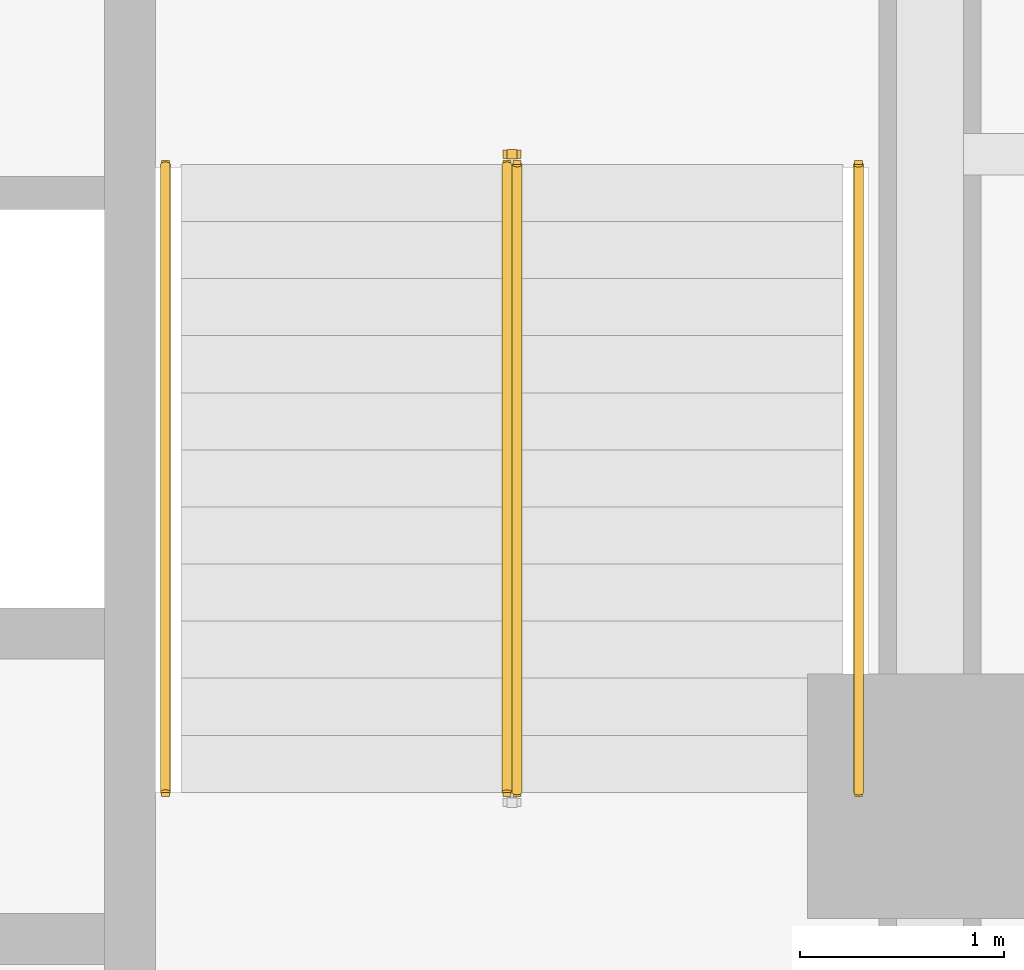
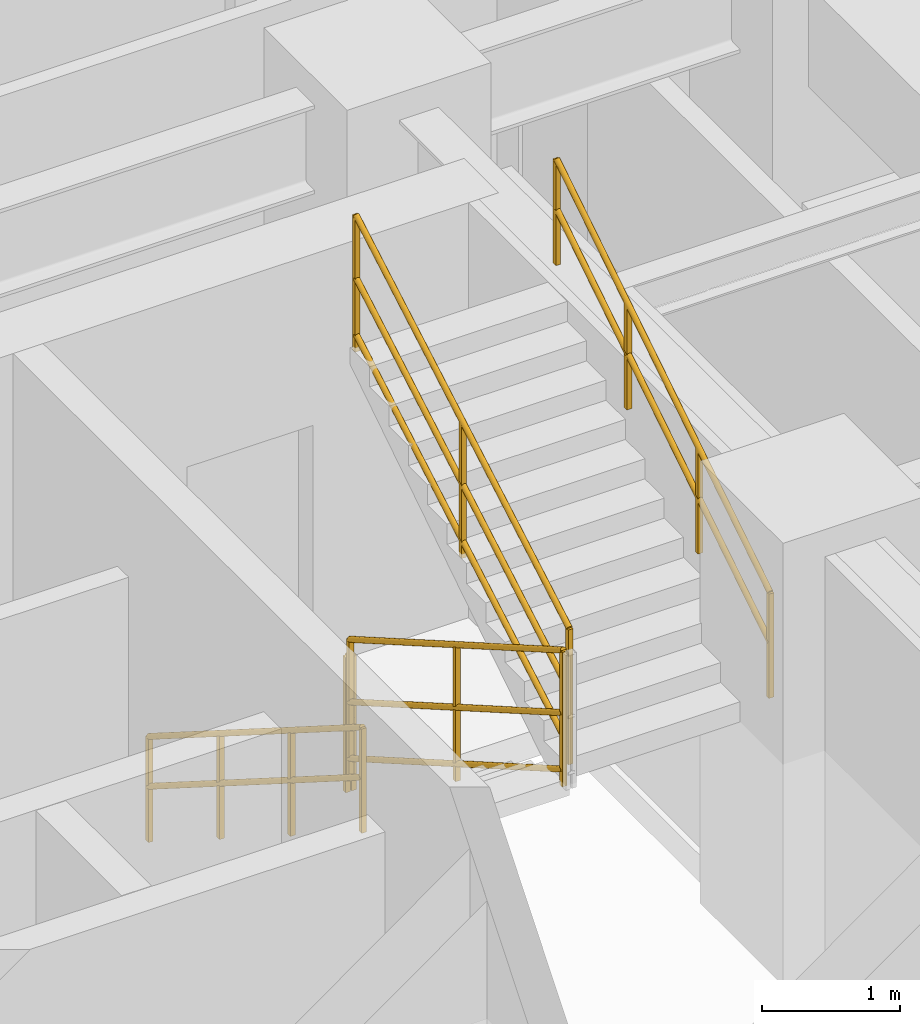
# One storey, part 7 of 8: 5 railings.
"""IFC4 building model written with IfcOpenShell, lengths in metres."""

from ifc_helpers import new_model, entity, si_unit, converted_unit, direction, frame, origin_with_axes, origin_2d_with_axis, place, context, subcontext, project, spatial, rectangle, circle, extrude, material, type_object, element, save


model = new_model("IFC4")

# Units and contexts
model_context = context("Model", 3, precision=1e-05, world=origin_with_axes(), true_north=direction((0.0, 1.0)))
body_context = subcontext(model_context, "Body", "Model", "MODEL_VIEW")
ifc_project = project(units=[si_unit("LENGTHUNIT", "METRE"), si_unit("AREAUNIT", "SQUARE_METRE"), si_unit("VOLUMEUNIT", "CUBIC_METRE"), converted_unit("PLANEANGLEUNIT", "DEGREE", entity("IfcPlaneAngleMeasure", 0.017453292519943295), si_unit("PLANEANGLEUNIT", "RADIAN"), dimensions=[0, 0, 0, 0, 0, 0, 0]), si_unit("MASSUNIT", "GRAM", prefix="KILO"), si_unit("THERMODYNAMICTEMPERATUREUNIT", "KELVIN")], contexts=[model_context])

# Site, building, storey
site_placement = place(None, origin_with_axes())
site = spatial("IfcSite", under=ifc_project, at=site_placement, CompositionType="ELEMENT")
building_placement = place(site_placement, origin_with_axes())
building = spatial("IfcBuilding", under=site, at=building_placement, Name="Varnlund Millrace Tower", CompositionType="ELEMENT")
storey_placement = place(building_placement, frame((0.0, 0.0, 89.1), z_axis=(0.0, 0.0, 1.0), x_axis=(1.0, 0.0, 0.0)))
storey = spatial("IfcBuildingStorey", under=building, at=storey_placement, Name="L21", CompositionType="ELEMENT", Elevation=89.1)

# Railings
ifc_material_1 = material(Name="Painted steel stair well balustrade guard", Category="steel")
railing_type_1 = type_object("IfcRailingType", Name="Type-StairGuard-1150", PredefinedType="GUARDRAIL", material=ifc_material_1)
railing_1_placement = place(storey_placement, frame((0.0, 0.0, -89.1), z_axis=(0.0, 0.0, 1.0), x_axis=(1.0, 0.0, 0.0)))
element("IfcRailing", 1, at=railing_1_placement, inside=storey, type_object=railing_type_1, Name="Type-StairGuard-1150", PredefinedType="GUARDRAIL", context=body_context, shape_type="SweptSolid", body=[
    extrude(circle(Radius=0.024, at=origin_2d_with_axis()), frame((45.975, 21.1, 90.427273), z_axis=(0.0, -0.866696, 0.498836), x_axis=(1.0, 0.0, 0.0)), (0.0, 0.0, 1.0), 3.553725),
    extrude(circle(Radius=0.024, at=origin_2d_with_axis()), frame((45.975, 21.1, 89.377273), z_axis=(0.0, -0.866696, 0.498836), x_axis=(1.0, 0.0, 0.0)), (0.0, 0.0, 1.0), 3.553725),
    extrude(circle(Radius=0.024, at=origin_2d_with_axis()), frame((45.975, 21.1, 89.875273), z_axis=(0.0, -0.866696, 0.498836), x_axis=(1.0, 0.0, 0.0)), (0.0, 0.0, 1.0), 3.553725),
    extrude(rectangle(XDim=0.04, YDim=0.04, at=origin_2d_with_axis()), frame((45.975, 21.1, 89.237273), z_axis=(0.0, 0.0, 1.0), x_axis=(1.0, 0.0, 0.0)), (0.0, 0.0, 1.0), 1.19),
    extrude(rectangle(XDim=0.04, YDim=0.04, at=origin_2d_with_axis()), frame((45.975, 19.56, 90.123636), z_axis=(0.0, 0.0, 1.0), x_axis=(1.0, 0.0, 0.0)), (0.0, 0.0, 1.0), 1.19),
    extrude(rectangle(XDim=0.04, YDim=0.04, at=origin_2d_with_axis()), frame((45.975, 18.02, 91.01), z_axis=(0.0, 0.0, 1.0), x_axis=(1.0, 0.0, 0.0)), (0.0, 0.0, 1.0), 1.19),
])
railing_2_placement = place(storey_placement, frame((0.0, 0.0, -89.1), z_axis=(0.0, 0.0, 1.0), x_axis=(1.0, 0.0, 0.0)))
element("IfcRailing", 2, at=railing_2_placement, inside=storey, type_object=railing_type_1, Name="Type-StairGuard-1150", PredefinedType="GUARDRAIL", context=body_context, shape_type="SweptSolid", body=[
    extrude(circle(Radius=0.024, at=origin_2d_with_axis()), frame((46.025, 18.02, 92.377273), z_axis=(0.0, 0.866696, 0.498836), x_axis=(-1.0, 0.0, 0.0)), (0.0, 0.0, 1.0), 3.553725),
    extrude(circle(Radius=0.024, at=origin_2d_with_axis()), frame((46.025, 18.02, 91.327273), z_axis=(0.0, 0.866696, 0.498836), x_axis=(-1.0, 0.0, 0.0)), (0.0, 0.0, 1.0), 3.553725),
    extrude(circle(Radius=0.024, at=origin_2d_with_axis()), frame((46.025, 18.02, 91.825273), z_axis=(0.0, 0.866696, 0.498836), x_axis=(-1.0, 0.0, 0.0)), (0.0, 0.0, 1.0), 3.553725),
    extrude(rectangle(XDim=0.04, YDim=0.04, at=origin_2d_with_axis()), frame((46.025, 18.02, 91.187273), z_axis=(0.0, 0.0, 1.0), x_axis=(1.0, 0.0, 0.0)), (0.0, 0.0, 1.0), 1.19),
    extrude(rectangle(XDim=0.04, YDim=0.04, at=origin_2d_with_axis()), frame((46.025, 19.56, 92.073636), z_axis=(0.0, 0.0, 1.0), x_axis=(1.0, 0.0, 0.0)), (0.0, 0.0, 1.0), 1.19),
    extrude(rectangle(XDim=0.04, YDim=0.04, at=origin_2d_with_axis()), frame((46.025, 21.1, 92.96), z_axis=(0.0, 0.0, 1.0), x_axis=(1.0, 0.0, 0.0)), (0.0, 0.0, 1.0), 1.19),
])
railing_3_placement = place(storey_placement, frame((0.0, 0.0, -89.1), z_axis=(0.0, 0.0, 1.0), x_axis=(1.0, 0.0, 0.0)))
element("IfcRailing", 3, at=railing_3_placement, inside=storey, type_object=railing_type_1, Name="Type-StairGuard-1150", PredefinedType="GUARDRAIL", context=body_context, shape_type="SweptSolid", body=[
    extrude(circle(Radius=0.024, at=origin_2d_with_axis()), frame((46.025, 21.15, 90.25), z_axis=(-1.0, 0.0, 0.0), x_axis=(0.0, -1.0, 0.0)), (0.0, 0.0, 1.0), 0.05),
    extrude(circle(Radius=0.024, at=origin_2d_with_axis()), frame((46.025, 21.15, 89.2), z_axis=(-1.0, 0.0, 0.0), x_axis=(0.0, -1.0, 0.0)), (0.0, 0.0, 1.0), 0.05),
    extrude(circle(Radius=0.024, at=origin_2d_with_axis()), frame((46.025, 21.15, 89.698), z_axis=(-1.0, 0.0, 0.0), x_axis=(0.0, -1.0, 0.0)), (0.0, 0.0, 1.0), 0.05),
    extrude(rectangle(XDim=0.04, YDim=0.04, at=origin_2d_with_axis()), frame((46.025, 21.15, 89.06), z_axis=(0.0, 0.0, 1.0), x_axis=(1.0, 0.0, 0.0)), (0.0, 0.0, 1.0), 1.19),
    extrude(rectangle(XDim=0.04, YDim=0.04, at=origin_2d_with_axis()), frame((45.975, 21.15, 89.06), z_axis=(0.0, 0.0, 1.0), x_axis=(1.0, 0.0, 0.0)), (0.0, 0.0, 1.0), 1.19),
])
ifc_material_2 = material(Name="Brushed architectural bronze stair handrail", Category="aluminium")
railing_type_2 = type_object("IfcRailingType", Name="Type-StairHandrail-900", PredefinedType="HANDRAIL", material=ifc_material_2)
railing_4_placement = place(storey_placement, frame((0.0, 0.0, -89.1), z_axis=(0.0, 0.0, 1.0), x_axis=(1.0, 0.0, 0.0)))
element("IfcRailing", 4, at=railing_4_placement, inside=storey, type_object=railing_type_2, Name="Type-StairHandrail-900", PredefinedType="HANDRAIL", context=body_context, shape_type="SweptSolid", body=[
    extrude(circle(Radius=0.024, at=origin_2d_with_axis()), frame((44.3, 21.1, 90.156995), z_axis=(0.0, -0.844902, 0.534922), x_axis=(1.0, 0.0, 0.0)), (0.0, 0.0, 1.0), 3.645394),
    extrude(circle(Radius=0.024, at=origin_2d_with_axis()), frame((44.3, 21.1, 89.717134), z_axis=(0.0, -0.844902, 0.534922), x_axis=(1.0, 0.0, 0.0)), (0.0, 0.0, 1.0), 3.645394),
    extrude(rectangle(XDim=0.04, YDim=0.04, at=origin_2d_with_axis()), frame((44.3, 21.1, 89.237273), z_axis=(0.0, 0.0, 1.0), x_axis=(1.0, 0.0, 0.0)), (0.0, 0.0, 1.0), 0.919722),
    extrude(rectangle(XDim=0.04, YDim=0.04, at=origin_2d_with_axis()), frame((44.3, 20.073333, 89.887273), z_axis=(0.0, 0.0, 1.0), x_axis=(1.0, 0.0, 0.0)), (0.0, 0.0, 1.0), 0.919722),
    extrude(rectangle(XDim=0.04, YDim=0.04, at=origin_2d_with_axis()), frame((44.3, 19.046667, 90.537273), z_axis=(0.0, 0.0, 1.0), x_axis=(1.0, 0.0, 0.0)), (0.0, 0.0, 1.0), 0.919722),
    extrude(rectangle(XDim=0.04, YDim=0.04, at=origin_2d_with_axis()), frame((44.3, 18.02, 91.187273), z_axis=(0.0, 0.0, 1.0), x_axis=(1.0, 0.0, 0.0)), (0.0, 0.0, 1.0), 0.919722),
])
railing_5_placement = place(storey_placement, frame((0.0, 0.0, -89.1), z_axis=(0.0, 0.0, 1.0), x_axis=(1.0, 0.0, 0.0)))
element("IfcRailing", 5, at=railing_5_placement, inside=storey, type_object=railing_type_2, Name="Type-StairHandrail-900", PredefinedType="HANDRAIL", context=body_context, shape_type="SweptSolid", body=[
    extrude(circle(Radius=0.024, at=origin_2d_with_axis()), frame((47.7, 18.02, 92.106995), z_axis=(0.0, 0.844902, 0.534922), x_axis=(-1.0, 0.0, 0.0)), (0.0, 0.0, 1.0), 3.645394),
    extrude(circle(Radius=0.024, at=origin_2d_with_axis()), frame((47.7, 18.02, 91.667134), z_axis=(0.0, 0.844902, 0.534922), x_axis=(-1.0, 0.0, 0.0)), (0.0, 0.0, 1.0), 3.645394),
    extrude(rectangle(XDim=0.04, YDim=0.04, at=origin_2d_with_axis()), frame((47.7, 18.02, 91.187273), z_axis=(0.0, 0.0, 1.0), x_axis=(1.0, 0.0, 0.0)), (0.0, 0.0, 1.0), 0.919722),
    extrude(rectangle(XDim=0.04, YDim=0.04, at=origin_2d_with_axis()), frame((47.7, 19.046667, 91.837273), z_axis=(0.0, 0.0, 1.0), x_axis=(1.0, 0.0, 0.0)), (0.0, 0.0, 1.0), 0.919722),
    extrude(rectangle(XDim=0.04, YDim=0.04, at=origin_2d_with_axis()), frame((47.7, 20.073333, 92.487273), z_axis=(0.0, 0.0, 1.0), x_axis=(1.0, 0.0, 0.0)), (0.0, 0.0, 1.0), 0.919722),
    extrude(rectangle(XDim=0.04, YDim=0.04, at=origin_2d_with_axis()), frame((47.7, 21.1, 93.137273), z_axis=(0.0, 0.0, 1.0), x_axis=(1.0, 0.0, 0.0)), (0.0, 0.0, 1.0), 0.919722),
])

save(model, "model.ifc")
